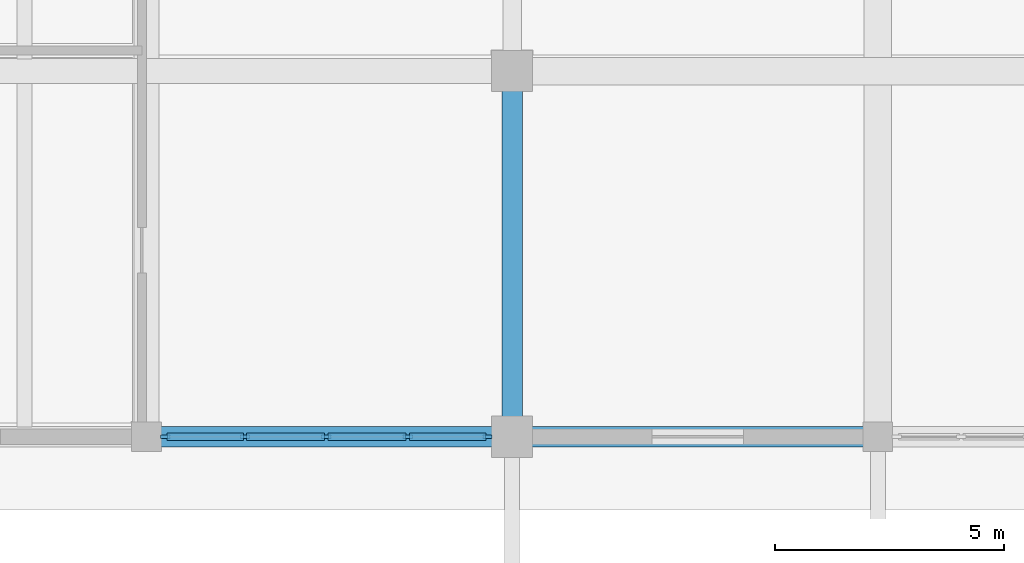
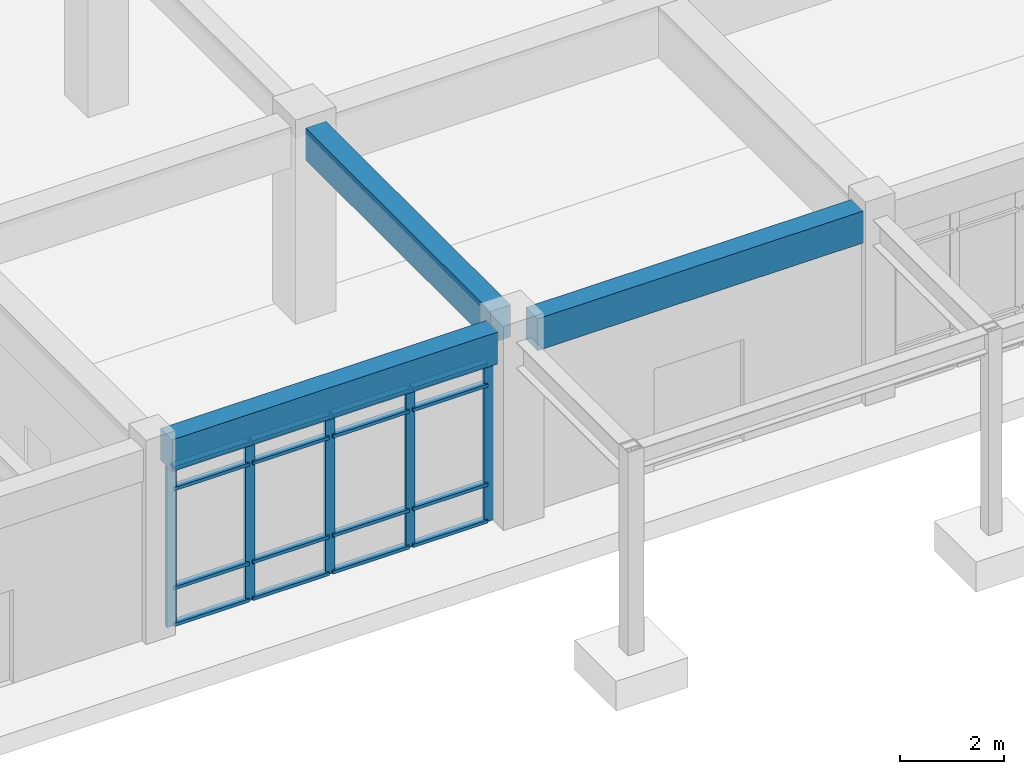
# One storey, part 17 of 64: 21 members, 3 beams, 1 element without a shape of its own.
"""IFC4 building model written with IfcOpenShell, lengths in metres."""

from ifc_helpers import new_model, si_unit, direction, frame, origin, origin_2d, place, context, subcontext, project, spatial, rectangle, extrude, material, material_profile, profile_set, type_object, element, aggregate, save


model = new_model("IFC4")

# Units and contexts
model_context = context("Model", 3, precision=1e-05, world=origin(), true_north=direction((0.0, 1.0)))
body_context = subcontext(model_context, "Body", "Model", "MODEL_VIEW")
ifc_project = project(units=[si_unit("LENGTHUNIT", "METRE"), si_unit("AREAUNIT", "SQUARE_METRE"), si_unit("VOLUMEUNIT", "CUBIC_METRE"), si_unit("PLANEANGLEUNIT", "RADIAN"), si_unit("MASSUNIT", "GRAM", prefix="KILO")], contexts=[model_context])

# Site, building, storey
site_placement = place(None, origin())
site = spatial("IfcSite", under=ifc_project, at=site_placement, CompositionType="ELEMENT")
building_placement = place(site_placement, origin())
building = spatial("IfcBuilding", under=site, at=building_placement, Name="Tlaxcora Railside Police Headquarters", CompositionType="ELEMENT")
storey_placement = place(building_placement, origin())
storey = spatial("IfcBuildingStorey", under=building, at=storey_placement, Name="L00", CompositionType="ELEMENT", Elevation=0.0)

# Curtain wall, members
ifc_material_1 = material(Name="Thermally broken low-E insulated glazing", Category="glass")
curtain_wall_type = type_object("IfcCurtainWallType", Name="Unitised Curtain Wall Assembly CW-38", PredefinedType="NOTDEFINED", material=ifc_material_1)
curtain_wall_placement = place(storey_placement, origin())
curtain_wall = element("IfcCurtainWall", 1, at=curtain_wall_placement, inside=storey, type_object=curtain_wall_type, Name="V1 L00 curtain wall 1", PredefinedType="NOTDEFINED")
ifc_material_2 = material(Name="Anodised aluminium framing", Category="aluminium")
ifc_material_profile_1 = material_profile(ifc_material_2, rectangle(XDim=0.074951171875, YDim=0.205078125, at=origin_2d()), Name="AL75X205")
ifc_profile_set_1 = profile_set([ifc_material_profile_1], Name="Anodised aluminium framing")
member_type_1 = type_object("IfcMemberType", Name="Curtain Wall Mullion CW-32", PredefinedType="MULLION", material=ifc_profile_set_1)
member_1_placement = place(storey_placement, frame((54.41259765625, 36.0, 0.0), z_axis=(0.0, 0.0, 1.0), x_axis=(0.0, 1.0, 0.0)))
member_1 = element("IfcMember", 2, at=member_1_placement, type_object=member_type_1, Name="CW mullion 1", PredefinedType="MULLION", context=body_context, shape_type="SweptSolid", body=[
    extrude(rectangle(XDim=0.074951171875, YDim=0.205078125, at=origin_2d()), origin(), (0.0, 0.0, 1.0), 3.760009765625),
])
member_2_placement = place(storey_placement, frame((56.15625, 36.0, 0.0), z_axis=(0.0, 0.0, 1.0), x_axis=(0.0, 1.0, 0.0)))
member_2 = element("IfcMember", 3, at=member_2_placement, type_object=member_type_1, Name="CW mullion 2", PredefinedType="MULLION", context=body_context, shape_type="SweptSolid", body=[
    extrude(rectangle(XDim=0.074951171875, YDim=0.205078125, at=origin_2d()), origin(), (0.0, 0.0, 1.0), 3.760009765625),
])
member_3_placement = place(storey_placement, frame((57.9375, 36.0, 0.0), z_axis=(0.0, 0.0, 1.0), x_axis=(0.0, 1.0, 0.0)))
member_3 = element("IfcMember", 4, at=member_3_placement, type_object=member_type_1, Name="CW mullion 3", PredefinedType="MULLION", context=body_context, shape_type="SweptSolid", body=[
    extrude(rectangle(XDim=0.074951171875, YDim=0.205078125, at=origin_2d()), origin(), (0.0, 0.0, 1.0), 3.760009765625),
])
member_4_placement = place(storey_placement, frame((59.71875, 36.0, 0.0), z_axis=(0.0, 0.0, 1.0), x_axis=(0.0, 1.0, 0.0)))
member_4 = element("IfcMember", 5, at=member_4_placement, type_object=member_type_1, Name="CW mullion 4", PredefinedType="MULLION", context=body_context, shape_type="SweptSolid", body=[
    extrude(rectangle(XDim=0.074951171875, YDim=0.205078125, at=origin_2d()), origin(), (0.0, 0.0, 1.0), 3.760009765625),
])
member_5_placement = place(storey_placement, frame((61.46240234375, 36.0, 0.0), z_axis=(0.0, 0.0, 1.0), x_axis=(0.0, 1.0, 0.0)))
member_5 = element("IfcMember", 6, at=member_5_placement, type_object=member_type_1, Name="CW mullion 5", PredefinedType="MULLION", context=body_context, shape_type="SweptSolid", body=[
    extrude(rectangle(XDim=0.074951171875, YDim=0.205078125, at=origin_2d()), origin(), (0.0, 0.0, 1.0), 3.760009765625),
])
ifc_material_profile_2 = material_profile(ifc_material_2, rectangle(XDim=0.155029296875, YDim=0.074951171875, at=origin_2d()), Name="AL75X155")
ifc_profile_set_2 = profile_set([ifc_material_profile_2], Name="Anodised aluminium framing")
member_type_2 = type_object("IfcMemberType", Name="Curtain Wall Transom CW-30", PredefinedType="USERDEFINED", material=ifc_profile_set_2)
member_6_placement = place(storey_placement, frame((54.449951171875, 36.0, 0.03759765625), z_axis=(1.0, 0.0, 0.0), x_axis=(0.0, 1.0, 0.0)))
member_6 = element("IfcMember", 7, at=member_6_placement, type_object=member_type_2, Name="CW transom 1.1", ObjectType="TRANSOM", PredefinedType="USERDEFINED", context=body_context, shape_type="SweptSolid", body=[
    extrude(rectangle(XDim=0.155029296875, YDim=0.074951171875, at=origin_2d()), origin(), (0.0, 0.0, 1.0), 1.668701171875),
])
member_7_placement = place(storey_placement, frame((54.449951171875, 36.0, 0.89990234375), z_axis=(1.0, 0.0, 0.0), x_axis=(0.0, 1.0, 0.0)))
member_7 = element("IfcMember", 8, at=member_7_placement, type_object=member_type_2, Name="CW transom 1.2", ObjectType="TRANSOM", PredefinedType="USERDEFINED", context=body_context, shape_type="SweptSolid", body=[
    extrude(rectangle(XDim=0.155029296875, YDim=0.074951171875, at=origin_2d()), origin(), (0.0, 0.0, 1.0), 1.668701171875),
])
member_8_placement = place(storey_placement, frame((54.449951171875, 36.0, 3.22998046875), z_axis=(1.0, 0.0, 0.0), x_axis=(0.0, 1.0, 0.0)))
member_8 = element("IfcMember", 9, at=member_8_placement, type_object=member_type_2, Name="CW transom 1.3", ObjectType="TRANSOM", PredefinedType="USERDEFINED", context=body_context, shape_type="SweptSolid", body=[
    extrude(rectangle(XDim=0.155029296875, YDim=0.074951171875, at=origin_2d()), origin(), (0.0, 0.0, 1.0), 1.668701171875),
])
member_9_placement = place(storey_placement, frame((54.449951171875, 36.0, 3.722412109375), z_axis=(1.0, 0.0, 0.0), x_axis=(0.0, 1.0, 0.0)))
member_9 = element("IfcMember", 10, at=member_9_placement, type_object=member_type_2, Name="CW transom 1.4", ObjectType="TRANSOM", PredefinedType="USERDEFINED", context=body_context, shape_type="SweptSolid", body=[
    extrude(rectangle(XDim=0.155029296875, YDim=0.074951171875, at=origin_2d()), origin(), (0.0, 0.0, 1.0), 1.668701171875),
])
member_10_placement = place(storey_placement, frame((56.19384765625, 36.0, 0.03759765625), z_axis=(1.0, 0.0, 0.0), x_axis=(0.0, 1.0, 0.0)))
member_10 = element("IfcMember", 11, at=member_10_placement, type_object=member_type_2, Name="CW transom 2.1", ObjectType="TRANSOM", PredefinedType="USERDEFINED", context=body_context, shape_type="SweptSolid", body=[
    extrude(rectangle(XDim=0.155029296875, YDim=0.074951171875, at=origin_2d()), origin(), (0.0, 0.0, 1.0), 1.7060546875),
])
member_11_placement = place(storey_placement, frame((56.19384765625, 36.0, 0.89990234375), z_axis=(1.0, 0.0, 0.0), x_axis=(0.0, 1.0, 0.0)))
member_11 = element("IfcMember", 12, at=member_11_placement, type_object=member_type_2, Name="CW transom 2.2", ObjectType="TRANSOM", PredefinedType="USERDEFINED", context=body_context, shape_type="SweptSolid", body=[
    extrude(rectangle(XDim=0.155029296875, YDim=0.074951171875, at=origin_2d()), origin(), (0.0, 0.0, 1.0), 1.7060546875),
])
member_12_placement = place(storey_placement, frame((56.19384765625, 36.0, 3.22998046875), z_axis=(1.0, 0.0, 0.0), x_axis=(0.0, 1.0, 0.0)))
member_12 = element("IfcMember", 13, at=member_12_placement, type_object=member_type_2, Name="CW transom 2.3", ObjectType="TRANSOM", PredefinedType="USERDEFINED", context=body_context, shape_type="SweptSolid", body=[
    extrude(rectangle(XDim=0.155029296875, YDim=0.074951171875, at=origin_2d()), origin(), (0.0, 0.0, 1.0), 1.7060546875),
])
member_13_placement = place(storey_placement, frame((56.19384765625, 36.0, 3.722412109375), z_axis=(1.0, 0.0, 0.0), x_axis=(0.0, 1.0, 0.0)))
member_13 = element("IfcMember", 14, at=member_13_placement, type_object=member_type_2, Name="CW transom 2.4", ObjectType="TRANSOM", PredefinedType="USERDEFINED", context=body_context, shape_type="SweptSolid", body=[
    extrude(rectangle(XDim=0.155029296875, YDim=0.074951171875, at=origin_2d()), origin(), (0.0, 0.0, 1.0), 1.7060546875),
])
member_14_placement = place(storey_placement, frame((57.97509765625, 36.0, 0.03759765625), z_axis=(1.0, 0.0, 0.0), x_axis=(0.0, 1.0, 0.0)))
member_14 = element("IfcMember", 15, at=member_14_placement, type_object=member_type_2, Name="CW transom 3.1", ObjectType="TRANSOM", PredefinedType="USERDEFINED", context=body_context, shape_type="SweptSolid", body=[
    extrude(rectangle(XDim=0.155029296875, YDim=0.074951171875, at=origin_2d()), origin(), (0.0, 0.0, 1.0), 1.7060546875),
])
member_15_placement = place(storey_placement, frame((57.97509765625, 36.0, 0.89990234375), z_axis=(1.0, 0.0, 0.0), x_axis=(0.0, 1.0, 0.0)))
member_15 = element("IfcMember", 16, at=member_15_placement, type_object=member_type_2, Name="CW transom 3.2", ObjectType="TRANSOM", PredefinedType="USERDEFINED", context=body_context, shape_type="SweptSolid", body=[
    extrude(rectangle(XDim=0.155029296875, YDim=0.074951171875, at=origin_2d()), origin(), (0.0, 0.0, 1.0), 1.7060546875),
])
member_16_placement = place(storey_placement, frame((57.97509765625, 36.0, 3.22998046875), z_axis=(1.0, 0.0, 0.0), x_axis=(0.0, 1.0, 0.0)))
member_16 = element("IfcMember", 17, at=member_16_placement, type_object=member_type_2, Name="CW transom 3.3", ObjectType="TRANSOM", PredefinedType="USERDEFINED", context=body_context, shape_type="SweptSolid", body=[
    extrude(rectangle(XDim=0.155029296875, YDim=0.074951171875, at=origin_2d()), origin(), (0.0, 0.0, 1.0), 1.7060546875),
])
member_17_placement = place(storey_placement, frame((57.97509765625, 36.0, 3.722412109375), z_axis=(1.0, 0.0, 0.0), x_axis=(0.0, 1.0, 0.0)))
member_17 = element("IfcMember", 18, at=member_17_placement, type_object=member_type_2, Name="CW transom 3.4", ObjectType="TRANSOM", PredefinedType="USERDEFINED", context=body_context, shape_type="SweptSolid", body=[
    extrude(rectangle(XDim=0.155029296875, YDim=0.074951171875, at=origin_2d()), origin(), (0.0, 0.0, 1.0), 1.7060546875),
])
member_18_placement = place(storey_placement, frame((59.75634765625, 36.0, 0.03759765625), z_axis=(1.0, 0.0, 0.0), x_axis=(0.0, 1.0, 0.0)))
member_18 = element("IfcMember", 19, at=member_18_placement, type_object=member_type_2, Name="CW transom 4.1", ObjectType="TRANSOM", PredefinedType="USERDEFINED", context=body_context, shape_type="SweptSolid", body=[
    extrude(rectangle(XDim=0.155029296875, YDim=0.074951171875, at=origin_2d()), origin(), (0.0, 0.0, 1.0), 1.668701171875),
])
member_19_placement = place(storey_placement, frame((59.75634765625, 36.0, 0.89990234375), z_axis=(1.0, 0.0, 0.0), x_axis=(0.0, 1.0, 0.0)))
member_19 = element("IfcMember", 20, at=member_19_placement, type_object=member_type_2, Name="CW transom 4.2", ObjectType="TRANSOM", PredefinedType="USERDEFINED", context=body_context, shape_type="SweptSolid", body=[
    extrude(rectangle(XDim=0.155029296875, YDim=0.074951171875, at=origin_2d()), origin(), (0.0, 0.0, 1.0), 1.668701171875),
])
member_20_placement = place(storey_placement, frame((59.75634765625, 36.0, 3.22998046875), z_axis=(1.0, 0.0, 0.0), x_axis=(0.0, 1.0, 0.0)))
member_20 = element("IfcMember", 21, at=member_20_placement, type_object=member_type_2, Name="CW transom 4.3", ObjectType="TRANSOM", PredefinedType="USERDEFINED", context=body_context, shape_type="SweptSolid", body=[
    extrude(rectangle(XDim=0.155029296875, YDim=0.074951171875, at=origin_2d()), origin(), (0.0, 0.0, 1.0), 1.668701171875),
])
member_21_placement = place(storey_placement, frame((59.75634765625, 36.0, 3.722412109375), z_axis=(1.0, 0.0, 0.0), x_axis=(0.0, 1.0, 0.0)))
member_21 = element("IfcMember", 22, at=member_21_placement, type_object=member_type_2, Name="CW transom 4.4", ObjectType="TRANSOM", PredefinedType="USERDEFINED", context=body_context, shape_type="SweptSolid", body=[
    extrude(rectangle(XDim=0.155029296875, YDim=0.074951171875, at=origin_2d()), origin(), (0.0, 0.0, 1.0), 1.668701171875),
])
aggregate(curtain_wall, [member_1, member_2, member_3, member_4, member_5, member_6, member_7, member_8, member_9, member_10, member_11, member_12, member_13, member_14, member_15, member_16, member_17, member_18, member_19, member_20, member_21])

# Beams
ifc_material_3 = material(Name="Concrete C40/50", Category="concrete")
ifc_material_profile_3 = material_profile(ifc_material_3, rectangle(XDim=0.449951171875, YDim=0.75, at=origin_2d()), Name="RC450X750")
ifc_profile_set_3 = profile_set([ifc_material_profile_3], Name="Concrete C40/50")
beam_type_1 = type_object("IfcBeamType", Name="Perimeter Spandrel Beam BM-86", PredefinedType="SPANDREL", material=ifc_profile_set_3)
for number, where, z_axis, x_axis, name in (
    (23, (54.31494140625, 36.0, 4.155029296875), (1.0, 0.0, 0.0), (0.0, 1.0, 0.0), "V1 L00 X-girder Y=36.0"),
    (24, (62.43994140625, 36.0, 4.155029296875), (1.0, 0.0, 0.0), (0.0, 1.0, 0.0), "V1 L00 X-girder Y=36.0"),
):
    element("IfcBeam", number, at=place(storey_placement, frame(where, z_axis=z_axis, x_axis=x_axis)), inside=storey, type_object=beam_type_1, Name=name, PredefinedType="SPANDREL", context=body_context, shape_type="SweptSolid", body=[
        extrude(rectangle(XDim=0.449951171875, YDim=0.75, at=origin_2d()), origin(), (0.0, 0.0, 1.0), 7.2451171875),
    ])
ifc_material_profile_4 = material_profile(ifc_material_3, rectangle(XDim=0.449951171875, YDim=0.75, at=origin_2d()), Name="RC450X750")
ifc_profile_set_4 = profile_set([ifc_material_profile_4], Name="Concrete C40/50")
beam_type_2 = type_object("IfcBeamType", Name="Primary Frame Girder BM-73", PredefinedType="BEAM", material=ifc_profile_set_4)
beam_placement = place(storey_placement, frame((62.0, 36.43994140625, 4.155029296875), z_axis=(0.0, 1.0, 0.0), x_axis=(-1.0, 0.0, 0.0)))
element("IfcBeam", 25, at=beam_placement, inside=storey, type_object=beam_type_2, Name="V1 L00 Y-girder X=62.0", PredefinedType="BEAM", context=body_context, shape_type="SweptSolid", body=[
    extrude(rectangle(XDim=0.449951171875, YDim=0.75, at=origin_2d()), origin(), (0.0, 0.0, 1.0), 7.1201171875),
])

save(model, "model.ifc")
